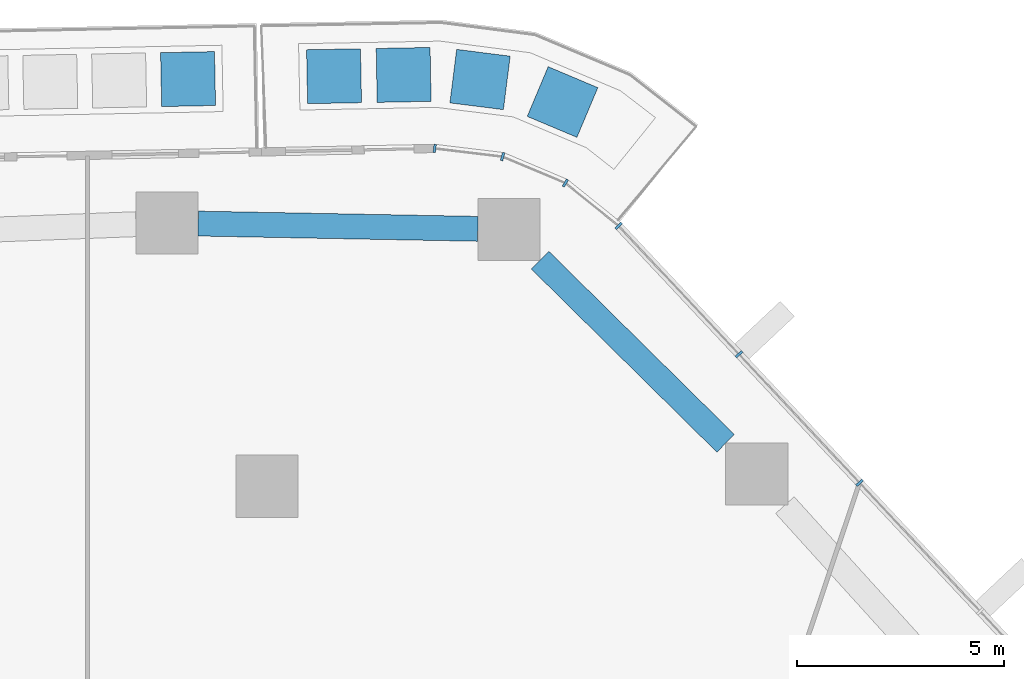
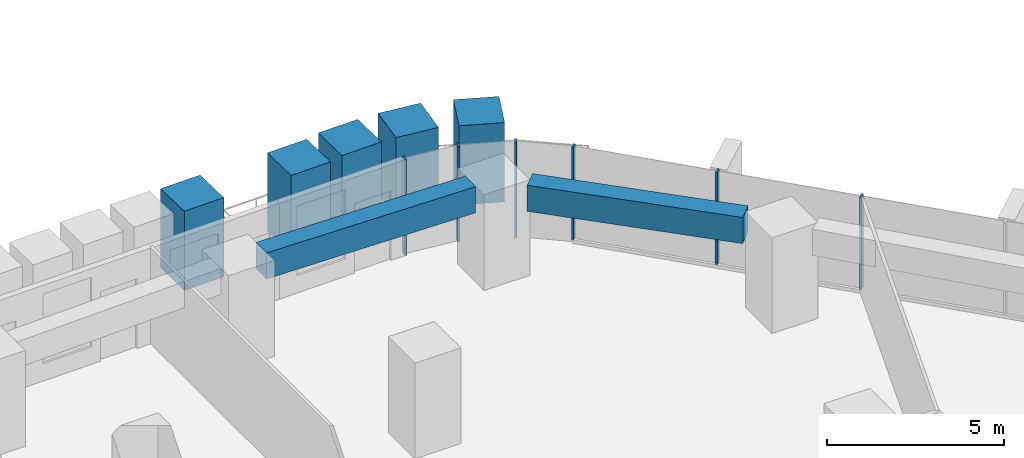
# One storey, part 9 of 24: 11 members, 2 beams, 2 elements without a shape of their own.
"""IFC4 building model written with IfcOpenShell, lengths in metres."""

from ifc_helpers import new_model, si_unit, direction, frame, origin, origin_2d, place, context, subcontext, project, spatial, rectangle, extrude, material, layer, layer_set, material_profile, profile_set, type_object, element, aggregate, save


model = new_model("IFC4")

# Units and contexts
model_context = context("Model", 3, precision=1e-05, world=origin(), true_north=direction((0.0, 1.0)))
body_context = subcontext(model_context, "Body", "Model", "MODEL_VIEW")
ifc_project = project(units=[si_unit("LENGTHUNIT", "METRE"), si_unit("AREAUNIT", "SQUARE_METRE"), si_unit("VOLUMEUNIT", "CUBIC_METRE"), si_unit("PLANEANGLEUNIT", "RADIAN"), si_unit("MASSUNIT", "GRAM", prefix="KILO")], contexts=[model_context])

# Site, building, storey
site_placement = place(None, origin())
site = spatial("IfcSite", under=ifc_project, at=site_placement, CompositionType="ELEMENT")
building_placement = place(site_placement, origin())
building = spatial("IfcBuilding", under=site, at=building_placement, Name="Dongbaek Canopy Tower", CompositionType="ELEMENT")
storey_placement = place(building_placement, frame((0.0, 0.0, 51.39990234375)))
storey = spatial("IfcBuildingStorey", under=building, at=storey_placement, Name="L08", CompositionType="ELEMENT", Elevation=51.39990234375)

# Curtain wall, members
ifc_material_1 = material(Name="Aluminium 6063-T6 pale anodised", Category="aluminium")
ifc_layer = layer(ifc_material_1, 0.199951171875)
ifc_layer_set = layer_set([ifc_layer], Name="CW-1 unitised tower curtain wall")
curtain_wall_type = type_object("IfcCurtainWallType", Name="CW-1 unitised tower curtain wall", PredefinedType="NOTDEFINED", material=ifc_layer_set)
curtain_wall_1_placement = place(storey_placement, origin())
curtain_wall_1 = element("IfcCurtainWall", 1, at=curtain_wall_1_placement, inside=storey, type_object=curtain_wall_type, Name="CW-1 curtain wall F0.1", PredefinedType="NOTDEFINED")
ifc_material_2 = material(Name="Aluminium 6063-T6 pale anodised", Category="aluminium")
ifc_material_profile_1 = material_profile(ifc_material_2, rectangle(XDim=0.199951171875, YDim=0.06005859375, at=origin_2d()), Name="CW-1 mullion 60 x 200")
ifc_profile_set_1 = profile_set([ifc_material_profile_1], Name="Aluminium 6063-T6 pale anodised")
member_type_1 = type_object("IfcMemberType", Name="CW-1 mullion 60 x 200", PredefinedType="MULLION", material=ifc_profile_set_1)
member_1_placement = place(storey_placement, frame((23.283447265625, 27.085693359375, 0.1201171875), z_axis=(0.0, 0.0, 1.0), x_axis=(0.729369243815, 0.684120242484, 0.0)))
member_1 = element("IfcMember", 2, at=member_1_placement, type_object=member_type_1, Name="CW-1 mullion F0.1.6", PredefinedType="MULLION", context=body_context, shape_type="SweptSolid", body=[
    extrude(rectangle(XDim=0.199951171875, YDim=0.06005859375, at=origin_2d()), origin(), (0.0, 0.0, 1.0), 3.179931640625),
])
member_2_placement = place(storey_placement, frame((20.376708984375, 30.1845703125, 0.1201171875), z_axis=(0.0, 0.0, 1.0), x_axis=(0.729369243815, 0.684120242484, 0.0)))
member_2 = element("IfcMember", 3, at=member_2_placement, type_object=member_type_1, Name="CW-1 mullion F0.1.7", PredefinedType="MULLION", context=body_context, shape_type="SweptSolid", body=[
    extrude(rectangle(XDim=0.199951171875, YDim=0.06005859375, at=origin_2d()), origin(), (0.0, 0.0, 1.0), 3.179931640625),
])
member_3_placement = place(storey_placement, frame((17.474609375, 33.278564453125, 0.1201171875), z_axis=(0.0, 0.0, 1.0), x_axis=(0.729369243815, 0.684120242484, 0.0)))
member_3 = element("IfcMember", 4, at=member_3_placement, type_object=member_type_1, Name="CW-1 mullion F0.1.8", PredefinedType="MULLION", context=body_context, shape_type="SweptSolid", body=[
    extrude(rectangle(XDim=0.199951171875, YDim=0.06005859375, at=origin_2d()), origin(), (0.0, 0.0, 1.0), 3.179931640625),
])
aggregate(curtain_wall_1, [member_1, member_2, member_3])

curtain_wall_2_placement = place(storey_placement, origin())
curtain_wall_2 = element("IfcCurtainWall", 5, at=curtain_wall_2_placement, inside=storey, type_object=curtain_wall_type, Name="CW-1 curtain wall K1.1", PredefinedType="NOTDEFINED")
member_4_placement = place(storey_placement, frame((16.19091796875, 34.312255859375, 0.0), z_axis=(0.0, 0.0, 1.0), x_axis=(0.512669109818, 0.858586270469, 0.0)))
member_4 = element("IfcMember", 6, at=member_4_placement, type_object=member_type_1, Name="CW-1 mullion K1.1.2", PredefinedType="MULLION", context=body_context, shape_type="SweptSolid", body=[
    extrude(rectangle(XDim=0.199951171875, YDim=0.06005859375, at=origin_2d()), origin(), (0.0, 0.0, 1.0), 3.300048828125),
])
member_5_placement = place(storey_placement, frame((14.678466796875, 34.949462890625, 0.0), z_axis=(0.0, 0.0, 1.0), x_axis=(0.256289748886, 0.966600002388, 0.0)))
member_5 = element("IfcMember", 7, at=member_5_placement, type_object=member_type_1, Name="CW-1 mullion K1.1.3", PredefinedType="MULLION", context=body_context, shape_type="SweptSolid", body=[
    extrude(rectangle(XDim=0.199951171875, YDim=0.06005859375, at=origin_2d()), origin(), (0.0, 0.0, 1.0), 3.300048828125),
])
member_6_placement = place(storey_placement, frame((13.0419921875, 35.14599609375, 0.0), z_axis=(0.0, 0.0, 1.0), x_axis=(0.119342231926, 0.992853177302, 0.0)))
member_6 = element("IfcMember", 8, at=member_6_placement, type_object=member_type_1, Name="CW-1 mullion K1.1.4", PredefinedType="MULLION", context=body_context, shape_type="SweptSolid", body=[
    extrude(rectangle(XDim=0.199951171875, YDim=0.06005859375, at=origin_2d()), origin(), (0.0, 0.0, 1.0), 3.300048828125),
])
aggregate(curtain_wall_2, [member_4, member_5, member_6])

# Beams
ifc_material_3 = material(Name="Concrete C80", Category="concrete")
ifc_material_profile_2 = material_profile(ifc_material_3, rectangle(XDim=0.60009765625, YDim=0.89990234375, at=origin_2d()), Name="RC EDGE BEAM 600x900 C80")
ifc_profile_set_2 = profile_set([ifc_material_profile_2], Name="Concrete C80")
beam_type = type_object("IfcBeamType", Name="RC EDGE BEAM 600x900 C80", PredefinedType="BEAM", material=ifc_profile_set_2)
beam_1_placement = place(storey_placement, frame((7.339111328125, 33.3349609375, 2.85009765625), z_axis=(0.999822704828, -0.018829734762, 0.0), x_axis=(0.018829734762, 0.999822704828, 0.0)))
element("IfcBeam", 9, at=beam_1_placement, inside=storey, type_object=beam_type, Name="EDGEBEAM:L08:16", PredefinedType="BEAM", context=body_context, shape_type="SweptSolid", body=[
    extrude(rectangle(XDim=0.60009765625, YDim=0.89990234375, at=origin_2d()), origin(), (0.0, 0.0, 1.0), 6.7421875),
])
beam_2_placement = place(storey_placement, frame((15.580078125, 32.453857421875, 2.85009765625), z_axis=(0.711712436236, -0.702470930435, 0.0), x_axis=(0.702470930435, 0.711712436236, 0.0)))
element("IfcBeam", 10, at=beam_2_placement, inside=storey, type_object=beam_type, Name="EDGEBEAM:L08:17", PredefinedType="BEAM", context=body_context, shape_type="SweptSolid", body=[
    extrude(rectangle(XDim=0.60009765625, YDim=0.89990234375, at=origin_2d()), origin(), (0.0, 0.0, 1.0), 6.287353515625),
])

# Members
ifc_material_4 = material(Name="Concrete C40/50 planter mass with planting", Category="concrete")
ifc_material_profile_3 = material_profile(ifc_material_4, rectangle(XDim=1.300048828125, YDim=1.300048828125, at=origin_2d()), Name="Terrace PLANTER shrub mass 1300 x 1300")
ifc_profile_set_3 = profile_set([ifc_material_profile_3], Name="Concrete C40/50 planter mass with planting")
member_type_2 = type_object("IfcMemberType", Name="Terrace PLANTER shrub mass 1300 x 1300", PredefinedType="USERDEFINED", material=ifc_profile_set_3)
for number, where, z_axis, x_axis, name in (
    (11, (7.095703125, 36.81787109375, 0.420166015625), (0.0, 0.0, 1.0), (-0.019925757664, 0.999801462382, 0.0), "Planter shrubs L08 1.1"),
    (12, (16.123291015625, 36.26513671875, 0.420166015625), (0.0, 0.0, 1.0), (0.388254005988, 0.921552400482, 0.0), "Planter shrubs L08 5.1"),
):
    element("IfcMember", number, at=place(storey_placement, frame(where, z_axis=z_axis, x_axis=x_axis)), inside=storey, type_object=member_type_2, Name=name, ObjectType="PLANTER", PredefinedType="USERDEFINED", context=body_context, shape_type="SweptSolid", body=[
        extrude(rectangle(XDim=1.300048828125, YDim=1.300048828125, at=origin_2d()), origin(), (0.0, 0.0, 1.0), 2.72998046875),
    ])
member_7_placement = place(storey_placement, frame((14.13427734375, 36.807373046875, 0.420166015625), z_axis=(0.0, 0.0, 1.0), x_axis=(0.125387731324, 0.992107815126, 0.0)))
element("IfcMember", 13, at=member_7_placement, inside=storey, type_object=member_type_2, Name="Planter shrubs L08 5.2", ObjectType="PLANTER", PredefinedType="USERDEFINED", context=body_context, shape_type="SweptSolid", body=[
    extrude(rectangle(XDim=1.300048828125, YDim=1.300048828125, at=origin_2d()), origin(), (0.0, 0.0, 1.0), 2.780029296875),
])
member_8_placement = place(storey_placement, frame((12.29248046875, 36.91845703125, 0.420166015625), z_axis=(0.0, 0.0, 1.0), x_axis=(-0.018700559201, 0.999825129253, 0.0)))
element("IfcMember", 14, at=member_8_placement, inside=storey, type_object=member_type_2, Name="Planter shrubs L08 5.3", ObjectType="PLANTER", PredefinedType="USERDEFINED", context=body_context, shape_type="SweptSolid", body=[
    extrude(rectangle(XDim=1.300048828125, YDim=1.300048828125, at=origin_2d()), origin(), (0.0, 0.0, 1.0), 2.77001953125),
])
member_9_placement = place(storey_placement, frame((10.61474609375, 36.886962890625, 0.420166015625), z_axis=(0.0, 0.0, 1.0), x_axis=(-0.018700559201, 0.999825129253, 0.0)))
element("IfcMember", 15, at=member_9_placement, inside=storey, type_object=member_type_2, Name="Planter shrubs L08 5.4", ObjectType="PLANTER", PredefinedType="USERDEFINED", context=body_context, shape_type="SweptSolid", body=[
    extrude(rectangle(XDim=1.300048828125, YDim=1.300048828125, at=origin_2d()), origin(), (0.0, 0.0, 1.0), 2.68994140625),
])

save(model, "model.ifc")
